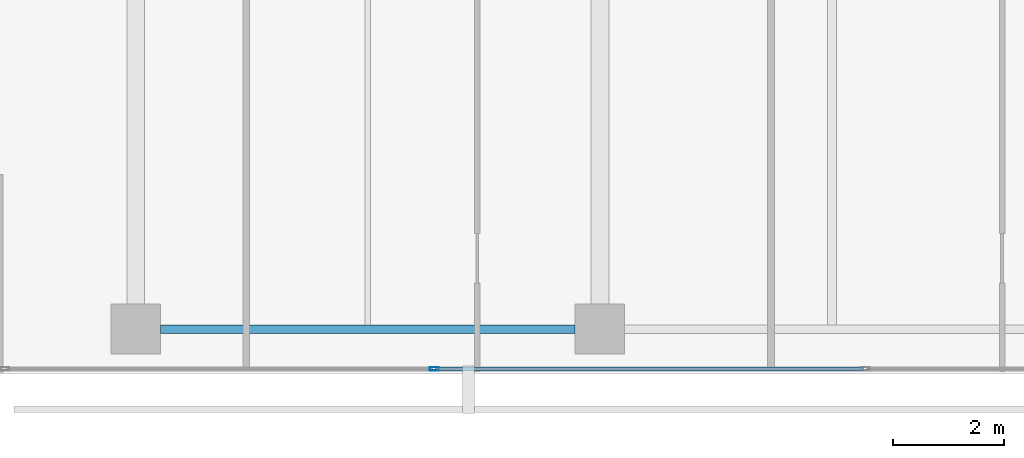
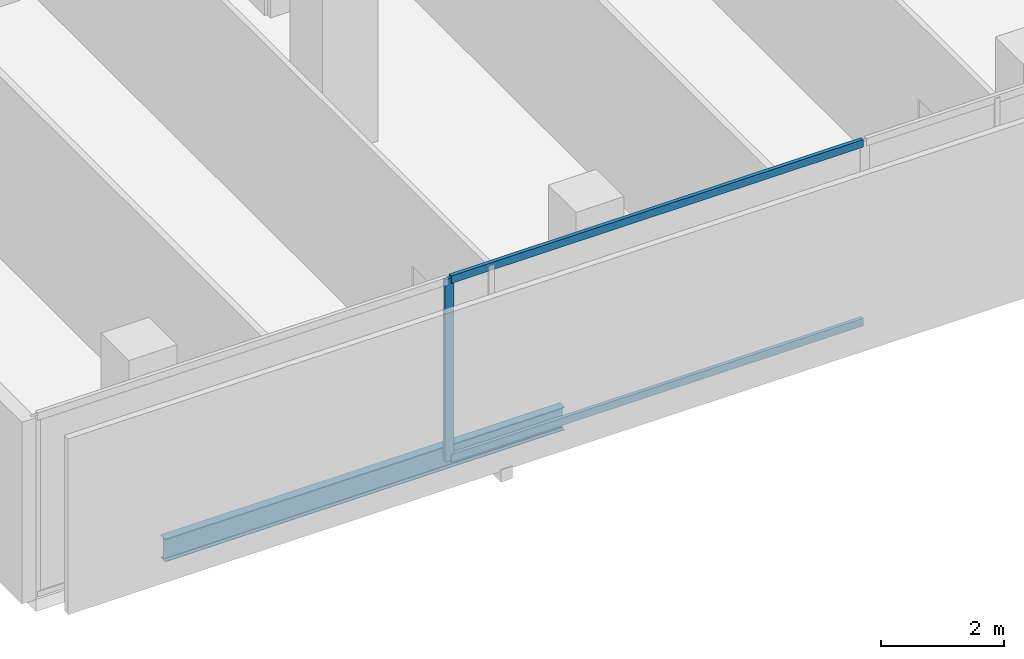
# One storey, part 3 of 40: 3 members, 1 beam, 1 element without a shape of its own.
"""IFC4 building model written with IfcOpenShell, lengths in metres."""

from ifc_helpers import new_model, si_unit, direction, frame, origin, origin_2d, place, context, subcontext, project, spatial, hollow_rectangle, i_section, extrude, material, layer, layer_set, material_profile, profile_set, type_object, element, aggregate, save


model = new_model("IFC4")

# Units and contexts
model_context = context("Model", 3, precision=1e-05, world=origin(), true_north=direction((0.0, 1.0)))
body_context = subcontext(model_context, "Body", "Model", "MODEL_VIEW")
ifc_project = project(units=[si_unit("LENGTHUNIT", "METRE"), si_unit("AREAUNIT", "SQUARE_METRE"), si_unit("VOLUMEUNIT", "CUBIC_METRE"), si_unit("PLANEANGLEUNIT", "RADIAN"), si_unit("MASSUNIT", "GRAM", prefix="KILO")], contexts=[model_context])

# Site, building, storey
site_placement = place(None, origin())
site = spatial("IfcSite", under=ifc_project, at=site_placement, CompositionType="ELEMENT")
building_placement = place(site_placement, origin())
building = spatial("IfcBuilding", under=site, at=building_placement, Name="Maruvema Waterfront Hotel and Observation Tower", CompositionType="ELEMENT")
storey_placement = place(building_placement, frame((0.0, 0.0, 100.10009765625)))
storey = spatial("IfcBuildingStorey", under=building, at=storey_placement, Name="L24", CompositionType="ELEMENT", Elevation=100.10009765625)

# Curtain wall, members
ifc_material_1 = material(Name="Anodised bronze aluminium and solar-control low-E IGU", Category="aluminium")
ifc_layer = layer(ifc_material_1, 0.159912109375, Name="Zone 1 Bronze Inner Thermal Curtain Wall System CW-02")
ifc_layer_set = layer_set([ifc_layer], Name="Anodised bronze aluminium and solar-control low-E IGU")
curtain_wall_type = type_object("IfcCurtainWallType", Name="Zone 1 Bronze Inner Thermal Curtain Wall System CW-02", PredefinedType="USERDEFINED", material=ifc_layer_set)
curtain_wall_placement = place(storey_placement, origin())
curtain_wall = element("IfcCurtainWall", 1, at=curtain_wall_placement, inside=storey, type_object=curtain_wall_type, Name="L24 Curtain Wall CW-L24-S", ObjectType="UNITISED CURTAIN WALL", PredefinedType="USERDEFINED")
ifc_material_2 = material(Name="Anodised architectural bronze aluminium", Category="aluminium")
ifc_material_profile_1 = material_profile(ifc_material_2, hollow_rectangle(XDim=0.070068359375, YDim=0.14990234375, WallThickness=0.00390625, at=origin_2d()), Name="ALU-T70x150")
ifc_profile_set_1 = profile_set([ifc_material_profile_1], Name="Anodised architectural bronze aluminium")
member_type_1 = type_object("IfcMemberType", Name="Curtain Wall Horizontal Transom ALU-T70x150", PredefinedType="USERDEFINED", material=ifc_profile_set_1)
member_1_placement = place(storey_placement, frame((22.22998046875, 0.080078125, 0.02978515625), z_axis=(1.0, 0.0, 0.0), x_axis=(0.0, 1.0, 0.0)))
member_1 = element("IfcMember", 2, at=member_1_placement, type_object=member_type_1, Name="CW-02 transom 2.1", ObjectType="TRANSOM", PredefinedType="USERDEFINED", context=body_context, shape_type="SweptSolid", body=[
    extrude(hollow_rectangle(XDim=0.070068359375, YDim=0.14990234375, WallThickness=0.00390625, at=origin_2d()), origin(), (0.0, 0.0, 1.0), 7.739990234375),
])
member_2_placement = place(storey_placement, frame((22.22998046875, 0.080078125, 3.579833984375), z_axis=(1.0, 0.0, 0.0), x_axis=(0.0, 1.0, 0.0)))
member_2 = element("IfcMember", 3, at=member_2_placement, type_object=member_type_1, Name="CW-02 transom 2.2", ObjectType="TRANSOM", PredefinedType="USERDEFINED", context=body_context, shape_type="SweptSolid", body=[
    extrude(hollow_rectangle(XDim=0.070068359375, YDim=0.14990234375, WallThickness=0.00390625, at=origin_2d()), origin(), (0.0, 0.0, 1.0), 7.739990234375),
])
ifc_material_3 = material(Name="Anodised architectural bronze aluminium", Category="aluminium")
ifc_material_profile_2 = material_profile(ifc_material_3, hollow_rectangle(XDim=0.06494140625, YDim=0.1650390625, WallThickness=0.00390625, at=origin_2d()), Name="ALU-M65x165")
ifc_profile_set_2 = profile_set([ifc_material_profile_2], Name="Anodised architectural bronze aluminium")
member_type_2 = type_object("IfcMemberType", Name="Curtain Wall Primary Mullion ALU-M65x165", PredefinedType="MULLION", material=ifc_profile_set_2)
member_3_placement = place(storey_placement, frame((22.199951171875, 0.080078125, 0.0), z_axis=(0.0, 0.0, 1.0), x_axis=(0.0, 1.0, 0.0)))
member_3 = element("IfcMember", 4, at=member_3_placement, type_object=member_type_2, Name="CW-02 mullion 2", PredefinedType="MULLION", context=body_context, shape_type="SweptSolid", body=[
    extrude(hollow_rectangle(XDim=0.06494140625, YDim=0.1650390625, WallThickness=0.00390625, at=origin_2d()), origin(), (0.0, 0.0, 1.0), 3.60986328125),
])
aggregate(curtain_wall, [member_3, member_1, member_2])

# Beam
ifc_material_4 = material(Name="Steel ASTM A572 Grade 50", Category="steel")
ifc_material_profile_3 = material_profile(ifc_material_4, i_section(OverallWidth=0.153076171875, OverallDepth=0.455078125, WebThickness=0.008056640625, FlangeThickness=0.01318359375, FilletRadius=0.014892578125, at=origin_2d()), Name="W460x60.0")
ifc_profile_set_3 = profile_set([ifc_material_profile_3], Name="Steel ASTM A572 Grade 50")
beam_type = type_object("IfcBeamType", Name="Perimeter Spandrel Beam W460x60.0", PredefinedType="SPANDREL", material=ifc_profile_set_3)
beam_placement = place(storey_placement, frame((17.25, 0.800048828125, -0.467529296875), z_axis=(1.0, 0.0, 0.0), x_axis=(0.0, 1.0, 0.0)))
element("IfcBeam", 5, at=beam_placement, inside=storey, type_object=beam_type, Name="L24 Floor Girder EW-01", PredefinedType="SPANDREL", context=body_context, shape_type="SweptSolid", body=[
    extrude(i_section(OverallWidth=0.153076171875, OverallDepth=0.455078125, WebThickness=0.008056640625, FlangeThickness=0.01318359375, FilletRadius=0.014892578125, at=origin_2d()), origin(), (0.0, 0.0, 1.0), 7.5),
])

save(model, "model.ifc")
